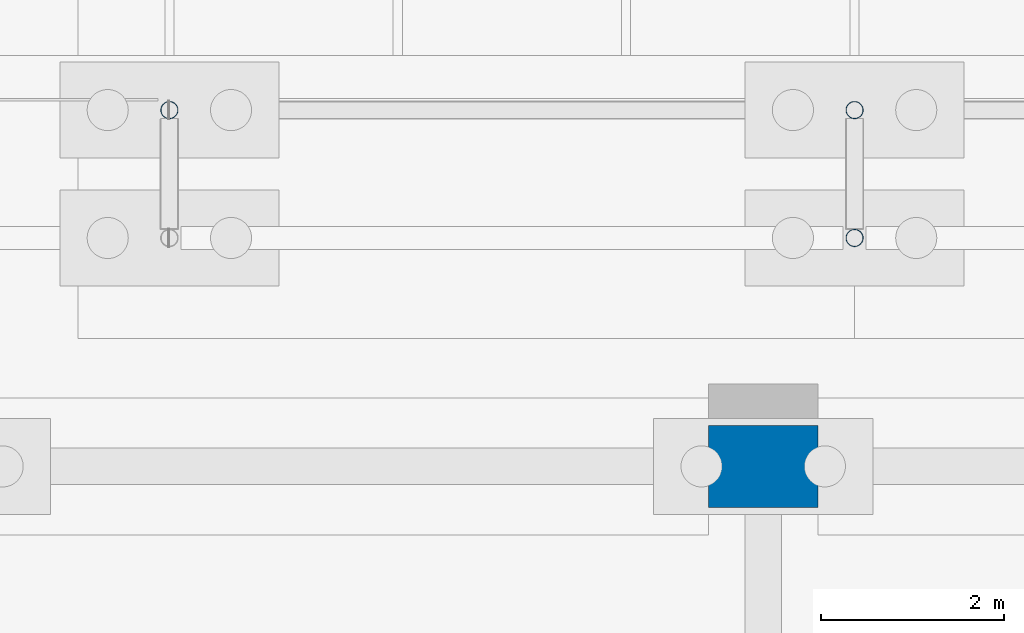
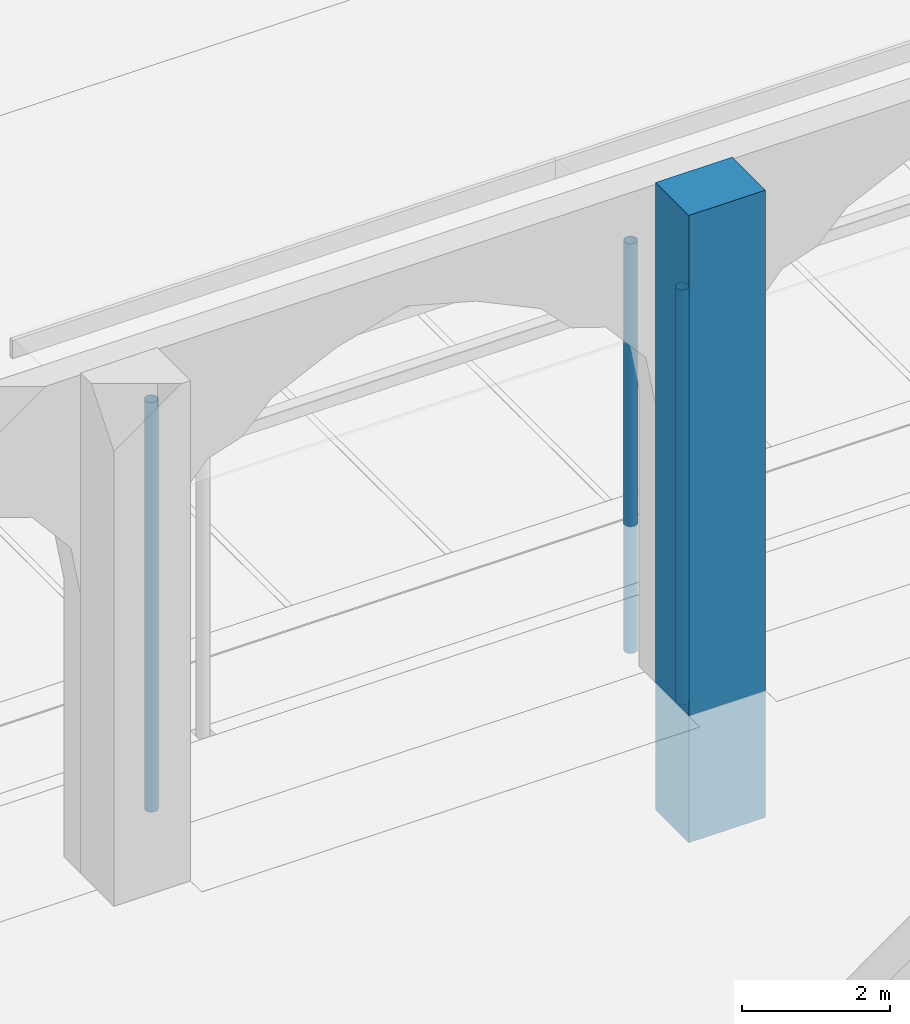
# One storey, part 28 of 250: 4 columns.
"""IFC4 building model written with IfcOpenShell, lengths in metres."""

from ifc_helpers import new_model, si_unit, direction, frame, origin, origin_2d, place, context, subcontext, project, spatial, rectangle, hollow_circle, extrude, material, material_profile, profile_set, type_object, element, save


model = new_model("IFC4")

# Units and contexts
model_context = context("Model", 3, precision=1e-05, world=origin(), true_north=direction((0.0, 1.0)))
body_context = subcontext(model_context, "Body", "Model", "MODEL_VIEW")
ifc_project = project(units=[si_unit("LENGTHUNIT", "METRE"), si_unit("AREAUNIT", "SQUARE_METRE"), si_unit("VOLUMEUNIT", "CUBIC_METRE"), si_unit("PLANEANGLEUNIT", "RADIAN"), si_unit("MASSUNIT", "GRAM", prefix="KILO")], contexts=[model_context])

# Site, building, storey
site_placement = place(None, origin())
site = spatial("IfcSite", under=ifc_project, at=site_placement, CompositionType="ELEMENT")
building_placement = place(site_placement, origin())
building = spatial("IfcBuilding", under=site, at=building_placement, Name="Baradari Gate Terminus", CompositionType="ELEMENT")
storey_placement = place(building_placement, origin())
storey = spatial("IfcBuildingStorey", under=building, at=storey_placement, Name="L00", CompositionType="ELEMENT", Elevation=0.0)

# Columns
ifc_material_1 = material(Name="Concrete C40/50", Category="concrete")
ifc_material_profile_1 = material_profile(ifc_material_1, rectangle(XDim=1.199951171875, YDim=0.89990234375, at=origin_2d()), Name="RC1200X900")
ifc_profile_set_1 = profile_set([ifc_material_profile_1], Name="Concrete C40/50")
column_type_1 = type_object("IfcColumnType", Name="Arcade pier AP01 RC1200X900", PredefinedType="COLUMN", material=ifc_profile_set_1)
column_1_placement = place(storey_placement, frame((189.0, 117.0, -2.10009765625), z_axis=(0.0, 0.0, 1.0), x_axis=(1.0, 0.0, 0.0)))
element("IfcColumn", 1, at=column_1_placement, inside=storey, type_object=column_type_1, Name="AP01 column 22-P L00", PredefinedType="COLUMN", context=body_context, shape_type="SweptSolid", body=[
    extrude(rectangle(XDim=1.199951171875, YDim=0.89990234375, at=origin_2d()), origin(), (0.0, 0.0, 1.0), 10.380126953125),
])
ifc_material_2 = material(Name="Steel S355", Category="steel")
ifc_material_profile_2 = material_profile(ifc_material_2, hollow_circle(Radius=0.096923828125, WallThickness=0.008056640625, at=origin_2d()), Name="CHS 193.7x8")
ifc_profile_set_2 = profile_set([ifc_material_profile_2], Name="Steel S355")
column_type_2 = type_object("IfcColumnType", Name="Shelter column CHS 193.7x8", PredefinedType="COLUMN", material=ifc_profile_set_2)
column_2_placement = place(storey_placement, frame((190.0, 119.5, -2.10009765625), z_axis=(0.0, 0.0, 1.0), x_axis=(1.0, 0.0, 0.0)))
element("IfcColumn", 2, at=column_2_placement, inside=storey, type_object=column_type_2, Name="Taxi shelter column 2", PredefinedType="COLUMN", context=body_context, shape_type="SweptSolid", body=[
    extrude(hollow_circle(Radius=0.096923828125, WallThickness=0.008056640625, at=origin_2d()), origin(), (0.0, 0.0, 1.0), 6.860107421875),
])
for number, where, z_axis, x_axis, name in (
    (3, (182.5, 120.89990234375, -2.10009765625), (0.0, 0.0, 1.0), (1.0, 0.0, 0.0), "Taxi shelter column 4"),
    (4, (190.0, 120.89990234375, -2.10009765625), (0.0, 0.0, 1.0), (1.0, 0.0, 0.0), "Taxi shelter column 5"),
):
    element("IfcColumn", number, at=place(storey_placement, frame(where, z_axis=z_axis, x_axis=x_axis)), inside=storey, type_object=column_type_2, Name=name, PredefinedType="COLUMN", context=body_context, shape_type="SweptSolid", body=[
        extrude(hollow_circle(Radius=0.096923828125, WallThickness=0.008056640625, at=origin_2d()), origin(), (0.0, 0.0, 1.0), 6.776123046875),
    ])

save(model, "model.ifc")
